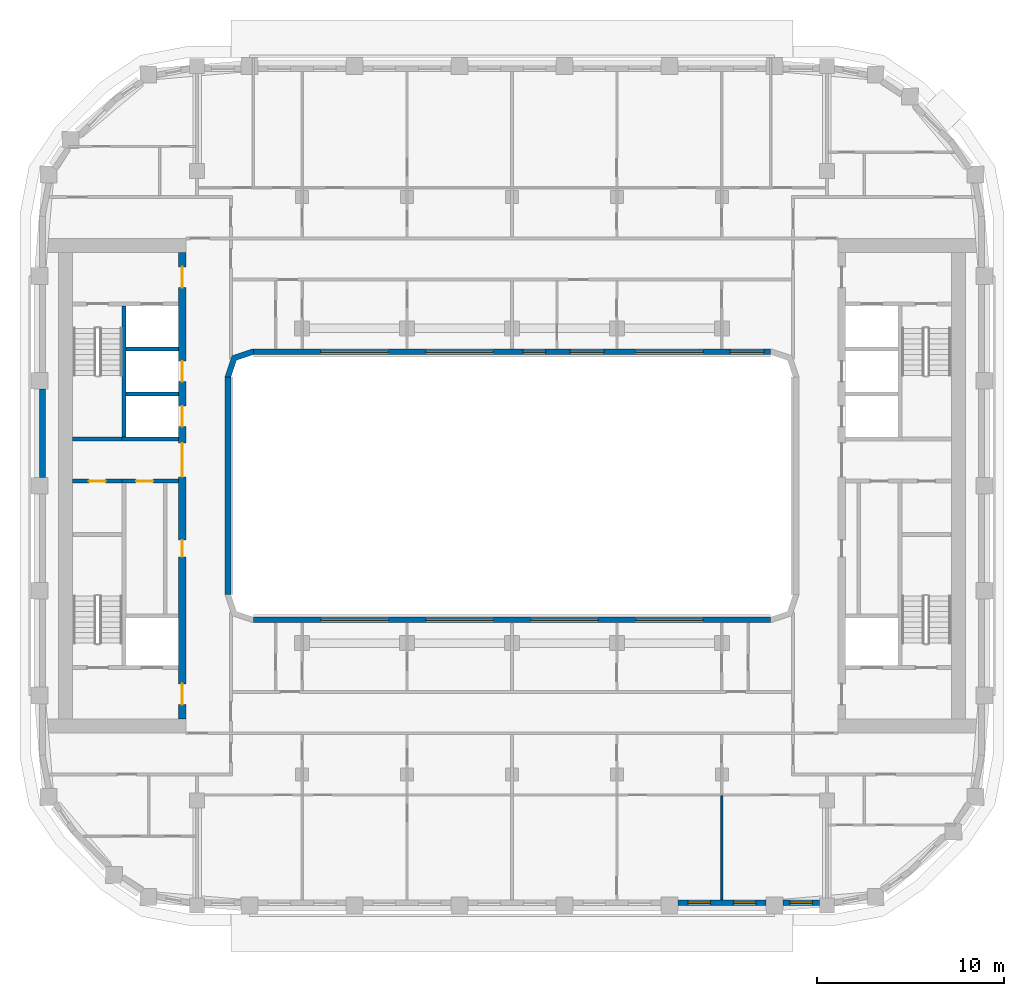
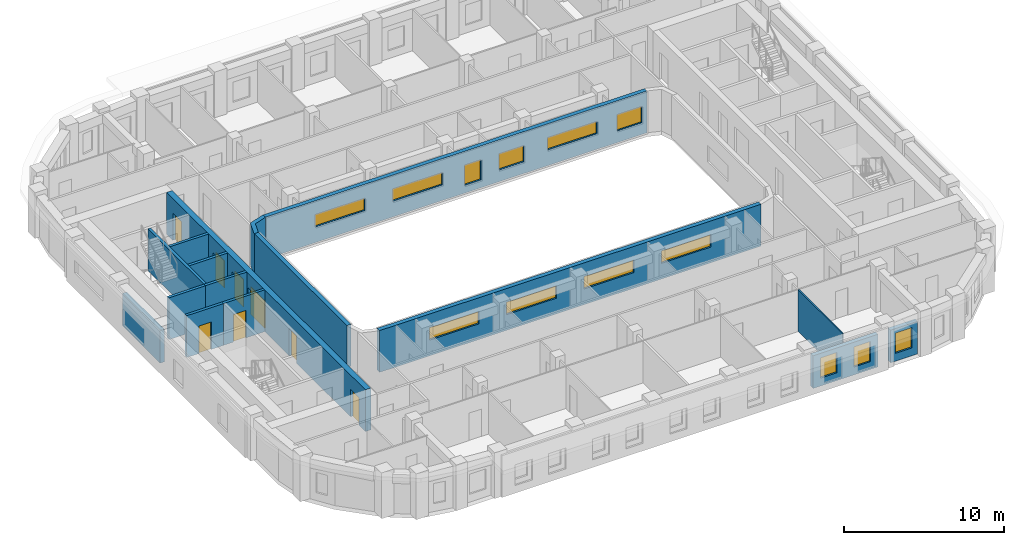
# One storey, part 4 of 20: 16 walls, 13 windows, 8 doors, 21 openings.
"""IFC4 building model written with IfcOpenShell, lengths in metres."""

import ifcopenshell
import ifcopenshell.guid

model = None  # the IFC model being written
_history = None  # IfcOwnerHistory: only IFC2X3 demands one
_inside = {}  # id of a spatial element -> (the spatial element, [elements in it])
_under = {}  # id of a project, library or spatial element -> (it, [spatial elements below it])
_declared = {}  # id of a project -> (the project, [libraries it declares])
_typed = {}  # id of a type object -> (the type object, [elements of that type])
_made_of = {}  # id of a material, layer set ... -> (it, [elements and type objects made of it])


def new_model(schema):
    """Start an empty IFC model of exactly this schema.

    Asked for "IFC4X3", IfcOpenShell would pick the latest addendum, in which some entities
    have other attributes; the version numbers below select the first issue.
    IFC2X3 requires an IfcOwnerHistory on every rooted entity: one is made here for all.
    """
    global model, _history
    if schema == "IFC4X3":
        model = ifcopenshell.file(schema_version=(4, 3, 0, 0))
    else:
        model = ifcopenshell.file(schema=schema)
    _inside.clear()
    _under.clear()
    _declared.clear()
    _typed.clear()
    _made_of.clear()
    _history = None
    if model.schema == "IFC2X3":
        org = make("IfcOrganization", Name="unknown")
        user = make(
            "IfcPersonAndOrganization",
            ThePerson=make("IfcPerson", FamilyName="unknown"),
            TheOrganization=org,
        )
        app = make(
            "IfcApplication",
            ApplicationDeveloper=org,
            Version="unknown",
            ApplicationFullName="unknown",
            ApplicationIdentifier="unknown",
        )
        _history = make(
            "IfcOwnerHistory",
            OwningUser=user,
            OwningApplication=app,
            ChangeAction="ADDED",
            CreationDate=0,
        )
    return model


def make(cls, **values):
    """One entity of the class cls with the attributes given. An attribute that is None is left unset."""
    return model.create_entity(
        cls, **{name: value for name, value in values.items() if value is not None}
    )


def rooted(cls, **values):
    """An entity with a GlobalId (a new one), such as an element, a storey or a relation."""
    return make(cls, GlobalId=ifcopenshell.guid.new(), OwnerHistory=_history, **values)


def si_unit(unit_type, name, prefix=None):
    """IfcSIUnit, for example si_unit("LENGTHUNIT", "METRE", prefix="MILLI")."""
    return make("IfcSIUnit", UnitType=unit_type, Prefix=prefix, Name=name)


def assignment(units):
    """IfcUnitAssignment: the units of a project."""
    return None if units is None else make("IfcUnitAssignment", Units=units)


def point(xyz):
    """IfcCartesianPoint."""
    return None if xyz is None else make("IfcCartesianPoint", Coordinates=xyz)


def direction(xyz):
    """IfcDirection."""
    return None if xyz is None else make("IfcDirection", DirectionRatios=xyz)


def frame(location, z_axis=None, x_axis=None):
    """IfcAxis2Placement3D, a coordinate frame: its origin and axes. An axis left out is left unset."""
    return make(
        "IfcAxis2Placement3D",
        Location=point(location),
        Axis=direction(z_axis),
        RefDirection=direction(x_axis),
    )


def frame_2d(location, x_axis=None):
    """IfcAxis2Placement2D, a coordinate frame in the plane: its origin and x axis."""
    return make(
        "IfcAxis2Placement2D", Location=point(location), RefDirection=direction(x_axis)
    )


def origin():
    """The frame at (0, 0, 0) with its axes left unset."""
    return frame((0.0, 0.0, 0.0))


def place(relative_to, where):
    """IfcLocalPlacement: puts the frame where relative to a parent placement (None: the world)."""
    return make(
        "IfcLocalPlacement", PlacementRelTo=relative_to, RelativePlacement=where
    )


def context(
    kind, dimensions, precision=None, world=None, true_north=None, identifier=None
):
    """IfcGeometricRepresentationContext, for example the 3D "Model" context."""
    return make(
        "IfcGeometricRepresentationContext",
        ContextIdentifier=identifier,
        ContextType=kind,
        CoordinateSpaceDimension=dimensions,
        Precision=precision,
        WorldCoordinateSystem=world,
        TrueNorth=true_north,
    )


def subcontext(parent, identifier, kind, view, scale=None):
    """IfcGeometricRepresentationSubContext, for example "Body" below "Model"."""
    return make(
        "IfcGeometricRepresentationSubContext",
        ContextIdentifier=identifier,
        ContextType=kind,
        ParentContext=parent,
        TargetScale=scale,
        TargetView=view,
    )


def project(units=None, contexts=None):
    """IfcProject with its units and contexts."""
    return rooted(
        "IfcProject",
        Name="project",
        RepresentationContexts=contexts,
        UnitsInContext=assignment(units),
    )


def spatial(cls, under=None, at=None, **own):
    """A site, building, storey or space (cls), placed at a placement, below another one or the project."""
    s = rooted(cls, ObjectPlacement=at, **own)
    if under is not None:
        _under.setdefault(under.id(), (under, []))[1].append(s)
    return s


def polyline(points):
    """IfcPolyline through the points."""
    return make("IfcPolyline", Points=[point(p) for p in points])


def profile(cls, at=None, kind="AREA", **sizes):
    """A parametric profile (cls). Its sizes go by their IFC names, for example OverallWidth=200.0."""
    return make(cls, ProfileType=kind, Position=at, **sizes)


def rectangle(**sizes):
    """IfcRectangleProfileDef."""
    return profile("IfcRectangleProfileDef", **sizes)


def outline(outer, holes=None, kind="AREA"):
    """IfcArbitraryClosedProfileDef: a profile drawn as a closed curve; with holes, ...WithVoids."""
    if holes is None:
        return make("IfcArbitraryClosedProfileDef", ProfileType=kind, OuterCurve=outer)
    return make(
        "IfcArbitraryProfileDefWithVoids",
        ProfileType=kind,
        OuterCurve=outer,
        InnerCurves=holes,
    )


def extrude(swept, where, along, depth):
    """IfcExtrudedAreaSolid: the profile swept, set in the frame where, extruded along a direction by depth."""
    return make(
        "IfcExtrudedAreaSolid",
        SweptArea=swept,
        Position=where,
        ExtrudedDirection=direction(along),
        Depth=depth,
    )


def shape(context_of_items, identifier, shape_type, items):
    """IfcShapeRepresentation: the items that make up one representation, for example the "Body"."""
    return make(
        "IfcShapeRepresentation",
        ContextOfItems=context_of_items,
        RepresentationIdentifier=identifier,
        RepresentationType=shape_type,
        Items=items,
    )


def material(Name=None, Category=None):
    """IfcMaterial."""
    return make("IfcMaterial", Name=Name, Category=Category)


def layer(
    of_material, thickness, ventilated=None, Name=None, Category=None, Priority=None
):
    """IfcMaterialLayer: one layer of a wall or slab, of a material (None: an air gap)."""
    return make(
        "IfcMaterialLayer",
        Material=of_material,
        LayerThickness=thickness,
        IsVentilated=ventilated,
        Name=Name,
        Category=Category,
        Priority=Priority,
    )


def layer_set(layers, Name=None):
    """IfcMaterialLayerSet."""
    return make("IfcMaterialLayerSet", MaterialLayers=layers, LayerSetName=Name)


def made_of(thing, what):
    """Note that an element or type object is made of a material, layer set ...; save() writes the relation."""
    if what is not None:
        _made_of.setdefault(what.id(), (what, []))[1].append(thing)
    return thing


def type_object(cls, material=None, **own):
    """A type object (cls), such as IfcWallType, which elements share."""
    return made_of(rooted(cls, **own), material)


def element(
    cls,
    number,
    at=None,
    inside=None,
    cuts=None,
    type_object=None,
    material=None,
    context=None,
    identifier="Body",
    shape_type=None,
    held_by="IfcProductDefinitionShape",
    body=None,
    shapes=None,
    **own,
):
    """One element of the class cls, such as IfcWall. Its Tag is "e" and its number.

    at: its placement. inside: the storey or other place that contains it. cuts: it is an
    opening in that element (IfcRelVoidsElement). A single representation is given by context,
    identifier, shape_type and body (its items); several are given by shapes. held_by: the class
    of the entity that holds the representations. save() writes the other relations.
    """
    e = rooted(cls, Tag="e%d" % number, ObjectPlacement=at, **own)
    if body is not None:
        shapes = [shape(context, identifier, shape_type, body)]
    if shapes is not None:
        e.Representation = make(held_by, Representations=shapes)
    if inside is not None:
        _inside.setdefault(inside.id(), (inside, []))[1].append(e)
    if cuts is not None:
        rooted(
            "IfcRelVoidsElement", RelatingBuildingElement=cuts, RelatedOpeningElement=e
        )
    if type_object is not None:
        _typed.setdefault(type_object.id(), (type_object, []))[1].append(e)
    return made_of(e, material)


def fill(opening, filler):
    """IfcRelFillsElement: the door or window that sits in an opening."""
    return rooted(
        "IfcRelFillsElement",
        RelatingOpeningElement=opening,
        RelatedBuildingElement=filler,
    )


def aggregate(whole, parts):
    """IfcRelAggregates: a whole, such as a stair, and the parts it consists of."""
    return rooted("IfcRelAggregates", RelatingObject=whole, RelatedObjects=parts)


def save(model, path):
    """Write the relations noted so far, then the file.

    IfcRelAggregates (storeys below a building ...), IfcRelContainedInSpatialStructure (elements
    in a storey), IfcRelDefinesByType, IfcRelAssociatesMaterial and IfcRelDeclares: one each for
    every whole, place, type object, material and project.
    """
    for whole, parts in _under.values():
        aggregate(whole, parts)
    for where, things in _inside.values():
        rooted(
            "IfcRelContainedInSpatialStructure",
            RelatedElements=things,
            RelatingStructure=where,
        )
    for kind, things in _typed.values():
        rooted("IfcRelDefinesByType", RelatedObjects=things, RelatingType=kind)
    for what, things in _made_of.values():
        rooted("IfcRelAssociatesMaterial", RelatedObjects=things, RelatingMaterial=what)
    for by, libraries in _declared.values():
        rooted("IfcRelDeclares", RelatingContext=by, RelatedDefinitions=libraries)
    model.write(path)


model = new_model("IFC4")

# Units and contexts
model_context = context("Model", 3, precision=1e-05, world=origin(), true_north=direction((0.0, 1.0)))
body_context = subcontext(model_context, "Body", "Model", "MODEL_VIEW")
ifc_project = project(units=[si_unit("LENGTHUNIT", "METRE"), si_unit("AREAUNIT", "SQUARE_METRE"), si_unit("VOLUMEUNIT", "CUBIC_METRE"), si_unit("PLANEANGLEUNIT", "RADIAN"), si_unit("MASSUNIT", "GRAM", prefix="KILO")], contexts=[model_context])

# Site, building, storey
site_placement = place(None, origin())
site = spatial("IfcSite", under=ifc_project, at=site_placement, CompositionType="ELEMENT")
building_placement = place(site_placement, origin())
building = spatial("IfcBuilding", under=site, at=building_placement, Name="Kiln Ring Residences", CompositionType="ELEMENT")
storey_placement = place(building_placement, frame((0.0, 0.0, 206.39990234375)))
storey = spatial("IfcBuildingStorey", under=building, at=storey_placement, Name="L53", CompositionType="ELEMENT", Elevation=206.39990234375)

# Wall, opening, door
ifc_material_1 = material(Name="Gypsum board on steel studs", Category="steel")
ifc_layer_1 = layer(ifc_material_1, 0.199951171875)
ifc_layer_set_1 = layer_set([ifc_layer_1], Name="CORE-PARTITION-200")
wall_type_1 = type_object("IfcWallType", Name="CORE-PARTITION-200", PredefinedType="PARTITIONING", material=ifc_layer_set_1)
wall_1_placement = place(storey_placement, frame((-20.800048828125, 0.25, 0.0), z_axis=(0.0, 0.0, 1.0), x_axis=(-1.0, 0.0, 0.0)))
wall_1 = element("IfcWall", 1, at=wall_1_placement, inside=storey, type_object=wall_type_1, Name="Core partition west L53 1", PredefinedType="PARTITIONING", context=body_context, shape_type="SweptSolid", body=[
    extrude(rectangle(XDim=2.64990234375, YDim=0.199951171875, at=frame_2d((1.324951171875, 0.0))), origin(), (0.0, 0.0, 1.0), 3.2001953125),
])
opening_1_placement = place(wall_1_placement, frame((0.875, 0.0, 0.0)))
opening_1 = element("IfcOpeningElement", 2, at=opening_1_placement, cuts=wall_1, Name="Opening L53-CW12", PredefinedType="OPENING", context=body_context, shape_type="SweptSolid", body=[
    extrude(rectangle(XDim=0.89990234375, YDim=2.10009765625, at=frame_2d((0.449951171875, 1.050048828125))), frame((0.0, 0.10986328125, 0.0), z_axis=(0.0, -1.0, 0.0), x_axis=(1.0, 0.0, 0.0)), (0.0, 0.0, 1.0), 0.219970703125),
])
ifc_material_2 = material(Name="Steel door leaf", Category="steel")
door_type_1 = type_object("IfcDoorType", Name="CORE-DOOR-ROOM", OperationType="SINGLE_SWING_LEFT", PredefinedType="DOOR", material=ifc_material_2)
door_1_placement = place(opening_1_placement, origin())
door_1 = element("IfcDoor", 3, at=door_1_placement, inside=storey, type_object=door_type_1, Name="Comms room L53-CW12", OperationType="SINGLE_SWING_RIGHT", OverallHeight=2.10009765625, OverallWidth=0.89990234375, PredefinedType="DOOR", context=body_context, shape_type="SweptSolid", body=[
    extrude(rectangle(XDim=0.89990234375, YDim=2.10009765625, at=frame_2d((0.449951171875, 1.050048828125))), frame((0.0, 0.02490234375, 0.0), z_axis=(0.0, -1.0, 0.0), x_axis=(1.0, 0.0, 0.0)), (0.0, 0.0, 1.0), 0.050048828125),
])
fill(opening_1, door_1)

ifc_material_3 = material(Name="Gypsum shaft wall system")
ifc_layer_2 = layer(ifc_material_3, 0.199951171875)
ifc_layer_set_2 = layer_set([ifc_layer_2], Name="CORE-SHAFT-WALL-200")
wall_type_2 = type_object("IfcWallType", Name="CORE-SHAFT-WALL-200", PredefinedType="PARTITIONING", material=ifc_layer_set_2)
wall_2_placement = place(storey_placement, frame((-17.800048828125, 0.25, 0.0), z_axis=(0.0, 0.0, 1.0), x_axis=(-1.0, 0.0, 0.0)))
wall_2 = element("IfcWall", 4, at=wall_2_placement, inside=storey, type_object=wall_type_2, Name="Core partition west L53 4", PredefinedType="PARTITIONING", context=body_context, shape_type="SweptSolid", body=[
    extrude(rectangle(XDim=3.0, YDim=0.199951171875, at=frame_2d((1.5, 0.0))), origin(), (0.0, 0.0, 1.0), 3.2001953125),
])
opening_2_placement = place(wall_2_placement, frame((1.35009765625, 0.0, 0.0)))
opening_2 = element("IfcOpeningElement", 5, at=opening_2_placement, cuts=wall_2, Name="Opening L53-CW03", PredefinedType="OPENING", context=body_context, shape_type="SweptSolid", body=[
    extrude(rectangle(XDim=0.89990234375, YDim=2.10009765625, at=frame_2d((0.449951171875, 1.050048828125))), frame((0.0, 0.10986328125, 0.0), z_axis=(0.0, -1.0, 0.0), x_axis=(1.0, 0.0, 0.0)), (0.0, 0.0, 1.0), 0.219970703125),
])
door_2_placement = place(opening_2_placement, origin())
door_2 = element("IfcDoor", 6, at=door_2_placement, inside=storey, type_object=door_type_1, Name="Service store L53-CW03", OperationType="SINGLE_SWING_LEFT", OverallHeight=2.10009765625, OverallWidth=0.89990234375, PredefinedType="DOOR", context=body_context, shape_type="SweptSolid", body=[
    extrude(rectangle(XDim=0.89990234375, YDim=2.10009765625, at=frame_2d((0.449951171875, 1.050048828125))), frame((0.0, 0.02490234375, 0.0), z_axis=(0.0, -1.0, 0.0), x_axis=(1.0, 0.0, 0.0)), (0.0, 0.0, 1.0), 0.050048828125),
])
fill(opening_2, door_2)

# Walls
wall_3_placement = place(storey_placement, frame((-17.800048828125, 2.5, 0.0), z_axis=(0.0, 0.0, 1.0), x_axis=(-1.0, 0.0, 0.0)))
element("IfcWall", 7, at=wall_3_placement, inside=storey, type_object=wall_type_2, Name="Core partition west L53 5", PredefinedType="PARTITIONING", context=body_context, shape_type="SweptSolid", body=[
    extrude(rectangle(XDim=3.0, YDim=0.199951171875, at=frame_2d((1.5, 0.0))), origin(), (0.0, 0.0, 1.0), 3.2001953125),
])
for number, where, z_axis, x_axis, name in (
    (8, (-17.800048828125, 4.89990234375, 0.0), (0.0, 0.0, 1.0), (-1.0, 0.0, 0.0), "Core partition west L53 6"),
    (9, (-17.800048828125, 7.300048828125, 0.0), (0.0, 0.0, 1.0), (-1.0, 0.0, 0.0), "Core partition west L53 7"),
):
    element("IfcWall", number, at=place(storey_placement, frame(where, z_axis=z_axis, x_axis=x_axis)), inside=storey, type_object=wall_type_2, Name=name, PredefinedType="PARTITIONING", context=body_context, shape_type="SweptSolid", body=[
        extrude(rectangle(XDim=2.800048828125, YDim=0.199951171875, at=frame_2d((1.39990234375, 0.0))), origin(), (0.0, 0.0, 1.0), 3.2001953125),
    ])
ifc_material_4 = material(Name="Concrete C40/50", Category="concrete")
ifc_layer_3 = layer(ifc_material_4, 0.199951171875)
ifc_layer_set_3 = layer_set([ifc_layer_3], Name="CORE-WALL-RC200")
wall_type_3 = type_object("IfcWallType", Name="CORE-WALL-RC200", PredefinedType="SHEAR", material=ifc_layer_set_3)
wall_4_placement = place(storey_placement, frame((-20.699951171875, 2.60009765625, 0.0), z_axis=(0.0, 0.0, 1.0), x_axis=(0.0, 1.0, 0.0)))
element("IfcWall", 10, at=wall_4_placement, inside=storey, type_object=wall_type_3, Name="Core wall west L53 1", PredefinedType="SHEAR", context=body_context, shape_type="SweptSolid", body=[
    extrude(rectangle(XDim=7.0, YDim=0.199951171875, at=frame_2d((3.5, 0.0))), origin(), (0.0, 0.0, 1.0), 3.2001953125),
])
wall_5_placement = place(storey_placement, frame((-20.800048828125, 2.5, 0.0), z_axis=(0.0, 0.0, 1.0), x_axis=(-1.0, 0.0, 0.0)))
element("IfcWall", 11, at=wall_5_placement, inside=storey, type_object=wall_type_3, Name="Core wall west L53 3", PredefinedType="SHEAR", context=body_context, shape_type="SweptSolid", body=[
    extrude(rectangle(XDim=2.64990234375, YDim=0.199951171875, at=frame_2d((1.324951171875, 0.0))), origin(), (0.0, 0.0, 1.0), 3.2001953125),
])

# Wall, openings, doors
ifc_material_5 = material(Name="Concrete C60/75", Category="concrete")
ifc_layer_4 = layer(ifc_material_5, 0.39990234375)
ifc_layer_set_4 = layer_set([ifc_layer_4], Name="CORE-WALL-RC400")
wall_type_4 = type_object("IfcWallType", Name="CORE-WALL-RC400", PredefinedType="SHEAR", material=ifc_layer_set_4)
wall_6_placement = place(storey_placement, frame((-17.60009765625, -12.449951171875, 0.0), z_axis=(0.0, 0.0, 1.0), x_axis=(0.0, 1.0, 0.0)))
wall_6 = element("IfcWall", 12, at=wall_6_placement, inside=storey, type_object=wall_type_4, Name="Core wall west L53 6", PredefinedType="SHEAR", context=body_context, shape_type="SweptSolid", body=[
    extrude(rectangle(XDim=24.89990234375, YDim=0.39990234375, at=frame_2d((12.449951171875, 0.0))), origin(), (0.0, 0.0, 1.0), 3.2001953125),
])
opening_3_placement = place(wall_6_placement, frame((8.64990234375, 0.0, 0.0)))
opening_3 = element("IfcOpeningElement", 13, at=opening_3_placement, cuts=wall_6, Name="Opening L53-CW02", PredefinedType="OPENING", context=body_context, shape_type="SweptSolid", body=[
    extrude(rectangle(XDim=0.89990234375, YDim=2.10009765625, at=frame_2d((0.449951171875, 1.050048828125))), frame((0.0, 0.2099609375, 0.0), z_axis=(0.0, -1.0, 0.0), x_axis=(1.0, 0.0, 0.0)), (0.0, 0.0, 1.0), 0.419921875),
])
opening_4_placement = place(wall_6_placement, frame((15.60009765625, 0.0, 0.0)))
opening_4 = element("IfcOpeningElement", 14, at=opening_4_placement, cuts=wall_6, Name="Opening L53-CW04", PredefinedType="OPENING", context=body_context, shape_type="SweptSolid", body=[
    extrude(rectangle(XDim=1.10009765625, YDim=2.10009765625, at=frame_2d((0.550048828125, 1.050048828125))), frame((0.0, 0.2099609375, 0.0), z_axis=(0.0, -1.0, 0.0), x_axis=(1.0, 0.0, 0.0)), (0.0, 0.0, 1.0), 0.419921875),
])
opening_5_placement = place(wall_6_placement, frame((18.0, 0.0, 0.0)))
opening_5 = element("IfcOpeningElement", 15, at=opening_5_placement, cuts=wall_6, Name="Opening L53-CW05", PredefinedType="OPENING", context=body_context, shape_type="SweptSolid", body=[
    extrude(rectangle(XDim=1.10009765625, YDim=2.10009765625, at=frame_2d((0.550048828125, 1.050048828125))), frame((0.0, 0.2099609375, 0.0), z_axis=(0.0, -1.0, 0.0), x_axis=(1.0, 0.0, 0.0)), (0.0, 0.0, 1.0), 0.419921875),
])
opening_6_placement = place(wall_6_placement, frame((23.02490234375, 0.0, 0.0)))
opening_6 = element("IfcOpeningElement", 16, at=opening_6_placement, cuts=wall_6, Name="Opening L53-CW07", PredefinedType="OPENING", context=body_context, shape_type="SweptSolid", body=[
    extrude(rectangle(XDim=1.10009765625, YDim=2.10009765625, at=frame_2d((0.550048828125, 1.050048828125))), frame((0.0, 0.2099609375, 0.0), z_axis=(0.0, -1.0, 0.0), x_axis=(1.0, 0.0, 0.0)), (0.0, 0.0, 1.0), 0.419921875),
])
opening_7_placement = place(wall_6_placement, frame((0.77490234375, 0.0, 0.0)))
opening_7 = element("IfcOpeningElement", 17, at=opening_7_placement, cuts=wall_6, Name="Opening L53-CW08", PredefinedType="OPENING", context=body_context, shape_type="SweptSolid", body=[
    extrude(rectangle(XDim=1.10009765625, YDim=2.10009765625, at=frame_2d((0.550048828125, 1.050048828125))), frame((0.0, 0.2099609375, 0.0), z_axis=(0.0, -1.0, 0.0), x_axis=(1.0, 0.0, 0.0)), (0.0, 0.0, 1.0), 0.419921875),
])
opening_8_placement = place(wall_6_placement, frame((12.925048828125, 0.0, 0.0)))
opening_8 = element("IfcOpeningElement", 18, at=opening_8_placement, cuts=wall_6, Name="Opening L53-CW11", PredefinedType="OPENING", context=body_context, shape_type="SweptSolid", body=[
    extrude(rectangle(XDim=1.800048828125, YDim=2.10009765625, at=frame_2d((0.89990234375, 1.050048828125))), frame((0.0, 0.2099609375, 0.0), z_axis=(0.0, -1.0, 0.0), x_axis=(1.0, 0.0, 0.0)), (0.0, 0.0, 1.0), 0.419921875),
])
ifc_material_6 = material(Name="Steel door leaf", Category="steel")
door_type_2 = type_object("IfcDoorType", Name="CORE-DOOR-LD", OperationType="DOUBLE_DOOR_SLIDING", PredefinedType="DOOR", material=ifc_material_6)
door_3_placement = place(opening_4_placement, origin())
door_3 = element("IfcDoor", 19, at=door_3_placement, inside=storey, type_object=door_type_2, Name="LD W-M1 L53-CW04", OperationType="DOUBLE_DOOR_SLIDING", OverallHeight=2.10009765625, OverallWidth=1.10009765625, PredefinedType="DOOR", context=body_context, shape_type="SweptSolid", body=[
    extrude(rectangle(XDim=1.10009765625, YDim=2.10009765625, at=frame_2d((0.550048828125, 1.050048828125))), frame((0.0, 0.02490234375, 0.0), z_axis=(0.0, -1.0, 0.0), x_axis=(1.0, 0.0, 0.0)), (0.0, 0.0, 1.0), 0.050048828125),
])
fill(opening_4, door_3)
door_4_placement = place(opening_5_placement, origin())
door_4 = element("IfcDoor", 20, at=door_4_placement, inside=storey, type_object=door_type_2, Name="LD W-M2 L53-CW05", OperationType="DOUBLE_DOOR_SLIDING", OverallHeight=2.10009765625, OverallWidth=1.10009765625, PredefinedType="DOOR", context=body_context, shape_type="SweptSolid", body=[
    extrude(rectangle(XDim=1.10009765625, YDim=2.10009765625, at=frame_2d((0.550048828125, 1.050048828125))), frame((0.0, 0.02490234375, 0.0), z_axis=(0.0, -1.0, 0.0), x_axis=(1.0, 0.0, 0.0)), (0.0, 0.0, 1.0), 0.050048828125),
])
fill(opening_5, door_4)
ifc_material_7 = material(Name="Steel door leaf", Category="steel")
door_type_3 = type_object("IfcDoorType", Name="CORE-DOOR-LOBBY", OperationType="SINGLE_SWING_LEFT", PredefinedType="DOOR", material=ifc_material_7)
door_5_placement = place(opening_6_placement, origin())
door_5 = element("IfcDoor", 21, at=door_5_placement, inside=storey, type_object=door_type_3, Name="FFL L53-CW07", OperationType="SINGLE_SWING_RIGHT", OverallHeight=2.10009765625, OverallWidth=1.10009765625, PredefinedType="DOOR", context=body_context, shape_type="SweptSolid", body=[
    extrude(rectangle(XDim=1.10009765625, YDim=2.10009765625, at=frame_2d((0.550048828125, 1.050048828125))), frame((0.0, 0.02490234375, 0.0), z_axis=(0.0, -1.0, 0.0), x_axis=(1.0, 0.0, 0.0)), (0.0, 0.0, 1.0), 0.050048828125),
])
fill(opening_6, door_5)
door_6_placement = place(opening_7_placement, origin())
door_6 = element("IfcDoor", 22, at=door_6_placement, inside=storey, type_object=door_type_3, Name="SVL L53-CW08", OperationType="SINGLE_SWING_LEFT", OverallHeight=2.10009765625, OverallWidth=1.10009765625, PredefinedType="DOOR", context=body_context, shape_type="SweptSolid", body=[
    extrude(rectangle(XDim=1.10009765625, YDim=2.10009765625, at=frame_2d((0.550048828125, 1.050048828125))), frame((0.0, 0.02490234375, 0.0), z_axis=(0.0, -1.0, 0.0), x_axis=(1.0, 0.0, 0.0)), (0.0, 0.0, 1.0), 0.050048828125),
])
fill(opening_7, door_6)
ifc_material_8 = material(Name="Steel door leaf", Category="steel")
door_type_4 = type_object("IfcDoorType", Name="CORE-DOOR-PASS", OperationType="DOUBLE_DOOR_SINGLE_SWING", PredefinedType="DOOR", material=ifc_material_8)
door_7_placement = place(opening_8_placement, origin())
door_7 = element("IfcDoor", 23, at=door_7_placement, inside=storey, type_object=door_type_4, Name="Core passage L53-CW11", OperationType="DOUBLE_DOOR_SINGLE_SWING", OverallHeight=2.10009765625, OverallWidth=1.800048828125, PredefinedType="DOOR", context=body_context, shape_type="SweptSolid", body=[
    extrude(rectangle(XDim=1.800048828125, YDim=2.10009765625, at=frame_2d((0.89990234375, 1.050048828125))), frame((0.0, 0.02490234375, 0.0), z_axis=(0.0, -1.0, 0.0), x_axis=(1.0, 0.0, 0.0)), (0.0, 0.0, 1.0), 0.050048828125),
])
fill(opening_8, door_7)
door_8_placement = place(opening_3_placement, origin())
door_8 = element("IfcDoor", 24, at=door_8_placement, inside=storey, type_object=door_type_1, Name="Locker store L53-CW02", OperationType="SINGLE_SWING_RIGHT", OverallHeight=2.10009765625, OverallWidth=0.89990234375, PredefinedType="DOOR", context=body_context, shape_type="SweptSolid", body=[
    extrude(rectangle(XDim=0.89990234375, YDim=2.10009765625, at=frame_2d((0.449951171875, 1.050048828125))), frame((0.0, 0.02490234375, 0.0), z_axis=(0.0, -1.0, 0.0), x_axis=(1.0, 0.0, 0.0)), (0.0, 0.0, 1.0), 0.050048828125),
])
fill(opening_3, door_8)

# Wall, openings, windows
ifc_material_9 = material(Name="Brick masonry, dark clay brick", Category="masonry")
ifc_layer_5 = layer(ifc_material_9, 0.300048828125)
ifc_layer_set_5 = layer_set([ifc_layer_5], Name="EW-300 BRICK WALL")
wall_type_5 = type_object("IfcWallType", Name="EW-300 BRICK WALL", PredefinedType="SOLIDWALL", material=ifc_layer_set_5)
wall_7_placement = place(storey_placement, frame((8.85009765625, -22.25, 0.0), z_axis=(0.0, 0.0, 1.0), x_axis=(1.0, 0.0, 0.0)))
wall_7 = element("IfcWall", 25, at=wall_7_placement, inside=storey, type_object=wall_type_5, Name="Facade wall L53 9", PredefinedType="SOLIDWALL", context=body_context, shape_type="SweptSolid", body=[
    extrude(rectangle(XDim=4.699951171875, YDim=0.300048828125, at=frame_2d((2.35009765625, 0.0))), origin(), (0.0, 0.0, 1.0), 2.5),
])
opening_9_placement = place(wall_7_placement, frame((0.53759765625, 0.0, 0.60009765625)))
opening_9 = element("IfcOpeningElement", 26, at=opening_9_placement, cuts=wall_7, Name="Opening W1", PredefinedType="OPENING", context=body_context, shape_type="SweptSolid", body=[
    extrude(rectangle(XDim=1.199951171875, YDim=1.550048828125, at=frame_2d((0.60009765625, 0.77490234375))), frame((0.0, 0.159912109375, 0.0), z_axis=(0.0, -1.0, 0.0), x_axis=(1.0, 0.0, 0.0)), (0.0, 0.0, 1.0), 0.320068359375),
])
opening_10_placement = place(wall_7_placement, frame((2.96240234375, 0.0, 0.60009765625)))
opening_10 = element("IfcOpeningElement", 27, at=opening_10_placement, cuts=wall_7, Name="Opening W1", PredefinedType="OPENING", context=body_context, shape_type="SweptSolid", body=[
    extrude(rectangle(XDim=1.199951171875, YDim=1.550048828125, at=frame_2d((0.60009765625, 0.77490234375))), frame((0.0, 0.159912109375, 0.0), z_axis=(0.0, -1.0, 0.0), x_axis=(1.0, 0.0, 0.0)), (0.0, 0.0, 1.0), 0.320068359375),
])
ifc_material_10 = material(Name="Aluminium frame with double glazing", Category="aluminium")
window_type_1 = type_object("IfcWindowType", Name="WINDOW 1200 x 1550", PartitioningType="SINGLE_PANEL", PredefinedType="WINDOW", material=ifc_material_10)
window_1_placement = place(opening_9_placement, origin())
window_1 = element("IfcWindow", 28, at=window_1_placement, inside=storey, type_object=window_type_1, Name="Window L53 11", OverallHeight=1.550048828125, OverallWidth=1.199951171875, PartitioningType="SINGLE_PANEL", PredefinedType="WINDOW", context=body_context, shape_type="SweptSolid", body=[
    extrude(rectangle(XDim=1.199951171875, YDim=1.550048828125, at=frame_2d((0.60009765625, 0.77490234375))), frame((0.0, 0.030029296875, 0.0), z_axis=(0.0, -1.0, 0.0), x_axis=(1.0, 0.0, 0.0)), (0.0, 0.0, 1.0), 0.06005859375),
])
fill(opening_9, window_1)
window_2_placement = place(opening_10_placement, origin())
window_2 = element("IfcWindow", 29, at=window_2_placement, inside=storey, type_object=window_type_1, Name="Window L53 12", OverallHeight=1.550048828125, OverallWidth=1.199951171875, PartitioningType="SINGLE_PANEL", PredefinedType="WINDOW", context=body_context, shape_type="SweptSolid", body=[
    extrude(rectangle(XDim=1.199951171875, YDim=1.550048828125, at=frame_2d((0.60009765625, 0.77490234375))), frame((0.0, 0.030029296875, 0.0), z_axis=(0.0, -1.0, 0.0), x_axis=(1.0, 0.0, 0.0)), (0.0, 0.0, 1.0), 0.06005859375),
])
fill(opening_10, window_2)

# Wall, opening, window
wall_8_placement = place(storey_placement, frame((14.449951171875, -22.25, 0.0), z_axis=(0.0, 0.0, 1.0), x_axis=(1.0, 0.0, 0.0)))
wall_8 = element("IfcWall", 30, at=wall_8_placement, inside=storey, type_object=wall_type_5, Name="Facade wall L53 10", PredefinedType="SOLIDWALL", context=body_context, shape_type="SweptSolid", body=[
    extrude(rectangle(XDim=1.949951171875, YDim=0.300048828125, at=frame_2d((0.97509765625, 0.0))), origin(), (0.0, 0.0, 1.0), 2.5),
])
opening_11_placement = place(wall_8_placement, frame((0.375, 0.0, 0.60009765625)))
opening_11 = element("IfcOpeningElement", 31, at=opening_11_placement, cuts=wall_8, Name="Opening W1", PredefinedType="OPENING", context=body_context, shape_type="SweptSolid", body=[
    extrude(rectangle(XDim=1.199951171875, YDim=1.550048828125, at=frame_2d((0.60009765625, 0.77490234375))), frame((0.0, 0.159912109375, 0.0), z_axis=(0.0, -1.0, 0.0), x_axis=(1.0, 0.0, 0.0)), (0.0, 0.0, 1.0), 0.320068359375),
])
window_3_placement = place(opening_11_placement, origin())
window_3 = element("IfcWindow", 32, at=window_3_placement, inside=storey, type_object=window_type_1, Name="Window L53 13", OverallHeight=1.550048828125, OverallWidth=1.199951171875, PartitioningType="SINGLE_PANEL", PredefinedType="WINDOW", context=body_context, shape_type="SweptSolid", body=[
    extrude(rectangle(XDim=1.199951171875, YDim=1.550048828125, at=frame_2d((0.60009765625, 0.77490234375))), frame((0.0, 0.030029296875, 0.0), z_axis=(0.0, -1.0, 0.0), x_axis=(1.0, 0.0, 0.0)), (0.0, 0.0, 1.0), 0.06005859375),
])
fill(opening_11, window_3)

# Walls
wall_9_placement = place(storey_placement, frame((-25.050048828125, 5.14990234375, 0.0), z_axis=(0.0, 0.0, 1.0), x_axis=(0.0, -1.0, 0.0)))
element("IfcWall", 33, at=wall_9_placement, inside=storey, type_object=wall_type_5, Name="Facade wall L53 41", PredefinedType="SOLIDWALL", context=body_context, shape_type="SweptSolid", body=[
    extrude(rectangle(XDim=4.699951171875, YDim=0.300048828125, at=frame_2d((2.35009765625, 0.0))), origin(), (0.0, 0.0, 1.0), 2.5),
])
wall_10_placement = place(storey_placement, frame((-15.14990234375, -5.800048828125, 0.0), z_axis=(0.0, 0.0, 1.0), x_axis=(0.0, 1.0, 0.0)))
element("IfcWall", 34, at=wall_10_placement, inside=storey, type_object=wall_type_5, Name="Facade wall L53 47", PredefinedType="SOLIDWALL", context=body_context, shape_type="SweptSolid", body=[
    extrude(rectangle(XDim=11.60009765625, YDim=0.300048828125, at=frame_2d((5.800048828125, 0.0))), origin(), (0.0, 0.0, 1.0), 3.2001953125),
])

# Wall, openings, windows
wall_11_placement = place(storey_placement, frame((-13.800048828125, 7.14990234375, 0.0), z_axis=(0.0, 0.0, 1.0), x_axis=(1.0, 0.0, 0.0)))
wall_11 = element("IfcWall", 35, at=wall_11_placement, inside=storey, type_object=wall_type_5, Name="Facade wall L53 48", PredefinedType="SOLIDWALL", context=body_context, shape_type="SweptSolid", body=[
    extrude(rectangle(XDim=27.60009765625, YDim=0.300048828125, at=frame_2d((13.800048828125, 0.0))), origin(), (0.0, 0.0, 1.0), 3.2001953125),
])
opening_12_placement = place(wall_11_placement, frame((3.60009765625, 0.0, 1.199951171875)))
opening_12 = element("IfcOpeningElement", 36, at=opening_12_placement, cuts=wall_11, Name="Opening W4", PredefinedType="OPENING", context=body_context, shape_type="SweptSolid", body=[
    extrude(rectangle(XDim=3.60009765625, YDim=0.949951171875, at=frame_2d((1.800048828125, 0.47509765625))), frame((0.0, 0.159912109375, 0.0), z_axis=(0.0, -1.0, 0.0), x_axis=(1.0, 0.0, 0.0)), (0.0, 0.0, 1.0), 0.320068359375),
])
opening_13_placement = place(wall_11_placement, frame((9.199951171875, 0.0, 1.199951171875)))
opening_13 = element("IfcOpeningElement", 37, at=opening_13_placement, cuts=wall_11, Name="Opening W4", PredefinedType="OPENING", context=body_context, shape_type="SweptSolid", body=[
    extrude(rectangle(XDim=3.60009765625, YDim=0.949951171875, at=frame_2d((1.800048828125, 0.47509765625))), frame((0.0, 0.159912109375, 0.0), z_axis=(0.0, -1.0, 0.0), x_axis=(1.0, 0.0, 0.0)), (0.0, 0.0, 1.0), 0.320068359375),
])
opening_14_placement = place(wall_11_placement, frame((14.39990234375, 0.0, 0.60009765625)))
opening_14 = element("IfcOpeningElement", 38, at=opening_14_placement, cuts=wall_11, Name="Opening W1", PredefinedType="OPENING", context=body_context, shape_type="SweptSolid", body=[
    extrude(rectangle(XDim=1.199951171875, YDim=1.550048828125, at=frame_2d((0.60009765625, 0.77490234375))), frame((0.0, 0.159912109375, 0.0), z_axis=(0.0, -1.0, 0.0), x_axis=(1.0, 0.0, 0.0)), (0.0, 0.0, 1.0), 0.320068359375),
])
opening_15_placement = place(wall_11_placement, frame((16.89990234375, 0.0, 0.89990234375)))
opening_15 = element("IfcOpeningElement", 39, at=opening_15_placement, cuts=wall_11, Name="Opening W2", PredefinedType="OPENING", context=body_context, shape_type="SweptSolid", body=[
    extrude(rectangle(XDim=1.800048828125, YDim=1.25, at=frame_2d((0.89990234375, 0.625))), frame((0.0, 0.159912109375, 0.0), z_axis=(0.0, -1.0, 0.0), x_axis=(1.0, 0.0, 0.0)), (0.0, 0.0, 1.0), 0.320068359375),
])
opening_16_placement = place(wall_11_placement, frame((20.39990234375, 0.0, 1.199951171875)))
opening_16 = element("IfcOpeningElement", 40, at=opening_16_placement, cuts=wall_11, Name="Opening W4", PredefinedType="OPENING", context=body_context, shape_type="SweptSolid", body=[
    extrude(rectangle(XDim=3.60009765625, YDim=0.949951171875, at=frame_2d((1.800048828125, 0.47509765625))), frame((0.0, 0.159912109375, 0.0), z_axis=(0.0, -1.0, 0.0), x_axis=(1.0, 0.0, 0.0)), (0.0, 0.0, 1.0), 0.320068359375),
])
opening_17_placement = place(wall_11_placement, frame((25.4375, 0.0, 0.89990234375)))
opening_17 = element("IfcOpeningElement", 41, at=opening_17_placement, cuts=wall_11, Name="Opening W2", PredefinedType="OPENING", context=body_context, shape_type="SweptSolid", body=[
    extrude(rectangle(XDim=1.800048828125, YDim=1.25, at=frame_2d((0.89990234375, 0.625))), frame((0.0, 0.159912109375, 0.0), z_axis=(0.0, -1.0, 0.0), x_axis=(1.0, 0.0, 0.0)), (0.0, 0.0, 1.0), 0.320068359375),
])
window_4_placement = place(opening_14_placement, origin())
window_4 = element("IfcWindow", 42, at=window_4_placement, inside=storey, type_object=window_type_1, Name="Window L53 37", OverallHeight=1.550048828125, OverallWidth=1.199951171875, PartitioningType="SINGLE_PANEL", PredefinedType="WINDOW", context=body_context, shape_type="SweptSolid", body=[
    extrude(rectangle(XDim=1.199951171875, YDim=1.550048828125, at=frame_2d((0.60009765625, 0.77490234375))), frame((0.0, 0.030029296875, 0.0), z_axis=(0.0, -1.0, 0.0), x_axis=(1.0, 0.0, 0.0)), (0.0, 0.0, 1.0), 0.06005859375),
])
fill(opening_14, window_4)
ifc_material_11 = material(Name="Aluminium frame with double glazing", Category="aluminium")
window_type_2 = type_object("IfcWindowType", Name="WINDOW 1800 x 1250", PartitioningType="SINGLE_PANEL", PredefinedType="WINDOW", material=ifc_material_11)
window_5_placement = place(opening_15_placement, origin())
window_5 = element("IfcWindow", 43, at=window_5_placement, inside=storey, type_object=window_type_2, Name="Window L53 38", OverallHeight=1.25, OverallWidth=1.800048828125, PartitioningType="SINGLE_PANEL", PredefinedType="WINDOW", context=body_context, shape_type="SweptSolid", body=[
    extrude(rectangle(XDim=1.800048828125, YDim=1.25, at=frame_2d((0.89990234375, 0.625))), frame((0.0, 0.030029296875, 0.0), z_axis=(0.0, -1.0, 0.0), x_axis=(1.0, 0.0, 0.0)), (0.0, 0.0, 1.0), 0.06005859375),
])
fill(opening_15, window_5)
window_6_placement = place(opening_17_placement, origin())
window_6 = element("IfcWindow", 44, at=window_6_placement, inside=storey, type_object=window_type_2, Name="Window L53 40", OverallHeight=1.25, OverallWidth=1.800048828125, PartitioningType="SINGLE_PANEL", PredefinedType="WINDOW", context=body_context, shape_type="SweptSolid", body=[
    extrude(rectangle(XDim=1.800048828125, YDim=1.25, at=frame_2d((0.89990234375, 0.625))), frame((0.0, 0.030029296875, 0.0), z_axis=(0.0, -1.0, 0.0), x_axis=(1.0, 0.0, 0.0)), (0.0, 0.0, 1.0), 0.06005859375),
])
fill(opening_17, window_6)
ifc_material_12 = material(Name="Aluminium frame with double glazing", Category="aluminium")
window_type_3 = type_object("IfcWindowType", Name="WINDOW 3600 x 950", PartitioningType="SINGLE_PANEL", PredefinedType="WINDOW", material=ifc_material_12)
window_7_placement = place(opening_12_placement, origin())
window_7 = element("IfcWindow", 45, at=window_7_placement, inside=storey, type_object=window_type_3, Name="Window L53 35", OverallHeight=0.949951171875, OverallWidth=3.60009765625, PartitioningType="SINGLE_PANEL", PredefinedType="WINDOW", context=body_context, shape_type="SweptSolid", body=[
    extrude(rectangle(XDim=3.60009765625, YDim=0.949951171875, at=frame_2d((1.800048828125, 0.47509765625))), frame((0.0, 0.030029296875, 0.0), z_axis=(0.0, -1.0, 0.0), x_axis=(1.0, 0.0, 0.0)), (0.0, 0.0, 1.0), 0.06005859375),
])
fill(opening_12, window_7)
window_8_placement = place(opening_13_placement, origin())
window_8 = element("IfcWindow", 46, at=window_8_placement, inside=storey, type_object=window_type_3, Name="Window L53 36", OverallHeight=0.949951171875, OverallWidth=3.60009765625, PartitioningType="SINGLE_PANEL", PredefinedType="WINDOW", context=body_context, shape_type="SweptSolid", body=[
    extrude(rectangle(XDim=3.60009765625, YDim=0.949951171875, at=frame_2d((1.800048828125, 0.47509765625))), frame((0.0, 0.030029296875, 0.0), z_axis=(0.0, -1.0, 0.0), x_axis=(1.0, 0.0, 0.0)), (0.0, 0.0, 1.0), 0.06005859375),
])
fill(opening_13, window_8)
window_9_placement = place(opening_16_placement, origin())
window_9 = element("IfcWindow", 47, at=window_9_placement, inside=storey, type_object=window_type_3, Name="Window L53 39", OverallHeight=0.949951171875, OverallWidth=3.60009765625, PartitioningType="SINGLE_PANEL", PredefinedType="WINDOW", context=body_context, shape_type="SweptSolid", body=[
    extrude(rectangle(XDim=3.60009765625, YDim=0.949951171875, at=frame_2d((1.800048828125, 0.47509765625))), frame((0.0, 0.030029296875, 0.0), z_axis=(0.0, -1.0, 0.0), x_axis=(1.0, 0.0, 0.0)), (0.0, 0.0, 1.0), 0.06005859375),
])
fill(opening_16, window_9)

wall_12_placement = place(storey_placement, frame((13.800048828125, -7.14990234375, 0.0), z_axis=(0.0, 0.0, 1.0), x_axis=(-1.0, 0.0, 0.0)))
wall_12 = element("IfcWall", 48, at=wall_12_placement, inside=storey, type_object=wall_type_5, Name="Facade wall L53 50", PredefinedType="SOLIDWALL", context=body_context, shape_type="SweptSolid", body=[
    extrude(rectangle(XDim=27.60009765625, YDim=0.300048828125, at=frame_2d((13.800048828125, 0.0))), origin(), (0.0, 0.0, 1.0), 3.2001953125),
])
opening_18_placement = place(wall_12_placement, frame((3.60009765625, 0.0, 1.199951171875)))
opening_18 = element("IfcOpeningElement", 49, at=opening_18_placement, cuts=wall_12, Name="Opening W4", PredefinedType="OPENING", context=body_context, shape_type="SweptSolid", body=[
    extrude(rectangle(XDim=3.60009765625, YDim=0.949951171875, at=frame_2d((1.800048828125, 0.47509765625))), frame((0.0, 0.159912109375, 0.0), z_axis=(0.0, -1.0, 0.0), x_axis=(1.0, 0.0, 0.0)), (0.0, 0.0, 1.0), 0.320068359375),
])
opening_19_placement = place(wall_12_placement, frame((9.199951171875, 0.0, 1.199951171875)))
opening_19 = element("IfcOpeningElement", 50, at=opening_19_placement, cuts=wall_12, Name="Opening W4", PredefinedType="OPENING", context=body_context, shape_type="SweptSolid", body=[
    extrude(rectangle(XDim=3.60009765625, YDim=0.949951171875, at=frame_2d((1.800048828125, 0.47509765625))), frame((0.0, 0.159912109375, 0.0), z_axis=(0.0, -1.0, 0.0), x_axis=(1.0, 0.0, 0.0)), (0.0, 0.0, 1.0), 0.320068359375),
])
opening_20_placement = place(wall_12_placement, frame((14.800048828125, 0.0, 1.199951171875)))
opening_20 = element("IfcOpeningElement", 51, at=opening_20_placement, cuts=wall_12, Name="Opening W4", PredefinedType="OPENING", context=body_context, shape_type="SweptSolid", body=[
    extrude(rectangle(XDim=3.60009765625, YDim=0.949951171875, at=frame_2d((1.800048828125, 0.47509765625))), frame((0.0, 0.159912109375, 0.0), z_axis=(0.0, -1.0, 0.0), x_axis=(1.0, 0.0, 0.0)), (0.0, 0.0, 1.0), 0.320068359375),
])
opening_21_placement = place(wall_12_placement, frame((20.39990234375, 0.0, 1.199951171875)))
opening_21 = element("IfcOpeningElement", 52, at=opening_21_placement, cuts=wall_12, Name="Opening W4", PredefinedType="OPENING", context=body_context, shape_type="SweptSolid", body=[
    extrude(rectangle(XDim=3.60009765625, YDim=0.949951171875, at=frame_2d((1.800048828125, 0.47509765625))), frame((0.0, 0.159912109375, 0.0), z_axis=(0.0, -1.0, 0.0), x_axis=(1.0, 0.0, 0.0)), (0.0, 0.0, 1.0), 0.320068359375),
])
window_10_placement = place(opening_18_placement, origin())
window_10 = element("IfcWindow", 53, at=window_10_placement, inside=storey, type_object=window_type_3, Name="Window L53 41", OverallHeight=0.949951171875, OverallWidth=3.60009765625, PartitioningType="SINGLE_PANEL", PredefinedType="WINDOW", context=body_context, shape_type="SweptSolid", body=[
    extrude(rectangle(XDim=3.60009765625, YDim=0.949951171875, at=frame_2d((1.800048828125, 0.47509765625))), frame((0.0, 0.030029296875, 0.0), z_axis=(0.0, -1.0, 0.0), x_axis=(1.0, 0.0, 0.0)), (0.0, 0.0, 1.0), 0.06005859375),
])
fill(opening_18, window_10)
window_11_placement = place(opening_19_placement, origin())
window_11 = element("IfcWindow", 54, at=window_11_placement, inside=storey, type_object=window_type_3, Name="Window L53 42", OverallHeight=0.949951171875, OverallWidth=3.60009765625, PartitioningType="SINGLE_PANEL", PredefinedType="WINDOW", context=body_context, shape_type="SweptSolid", body=[
    extrude(rectangle(XDim=3.60009765625, YDim=0.949951171875, at=frame_2d((1.800048828125, 0.47509765625))), frame((0.0, 0.030029296875, 0.0), z_axis=(0.0, -1.0, 0.0), x_axis=(1.0, 0.0, 0.0)), (0.0, 0.0, 1.0), 0.06005859375),
])
fill(opening_19, window_11)
window_12_placement = place(opening_20_placement, origin())
window_12 = element("IfcWindow", 55, at=window_12_placement, inside=storey, type_object=window_type_3, Name="Window L53 43", OverallHeight=0.949951171875, OverallWidth=3.60009765625, PartitioningType="SINGLE_PANEL", PredefinedType="WINDOW", context=body_context, shape_type="SweptSolid", body=[
    extrude(rectangle(XDim=3.60009765625, YDim=0.949951171875, at=frame_2d((1.800048828125, 0.47509765625))), frame((0.0, 0.030029296875, 0.0), z_axis=(0.0, -1.0, 0.0), x_axis=(1.0, 0.0, 0.0)), (0.0, 0.0, 1.0), 0.06005859375),
])
fill(opening_20, window_12)
window_13_placement = place(opening_21_placement, origin())
window_13 = element("IfcWindow", 56, at=window_13_placement, inside=storey, type_object=window_type_3, Name="Window L53 44", OverallHeight=0.949951171875, OverallWidth=3.60009765625, PartitioningType="SINGLE_PANEL", PredefinedType="WINDOW", context=body_context, shape_type="SweptSolid", body=[
    extrude(rectangle(XDim=3.60009765625, YDim=0.949951171875, at=frame_2d((1.800048828125, 0.47509765625))), frame((0.0, 0.030029296875, 0.0), z_axis=(0.0, -1.0, 0.0), x_axis=(1.0, 0.0, 0.0)), (0.0, 0.0, 1.0), 0.06005859375),
])
fill(opening_21, window_13)

# Walls
wall_13_placement = place(storey_placement, origin())
element("IfcWall", 57, at=wall_13_placement, inside=storey, type_object=wall_type_5, Name="Corner wall L53 1", PredefinedType="SOLIDWALL", context=body_context, shape_type="SweptSolid", body=[
    extrude(outline(polyline([(-13.8486328125, 7.300048828125), (-14.937255859375, 6.937255859375), (-15.300048828125, 5.8486328125), (-15.300048828125, 5.800048828125), (-15.0, 5.800048828125), (-14.699951171875, 6.699951171875), (-13.800048828125, 7.0), (-13.800048828125, 7.300048828125), (-13.8486328125, 7.300048828125)])), origin(), (0.0, 0.0, 1.0), 3.2001953125),
])
ifc_material_13 = material(Name="Gypsum board on steel studs", Category="steel")
ifc_layer_6 = layer(ifc_material_13, 0.10009765625)
ifc_layer_set_6 = layer_set([ifc_layer_6], Name="PARTITION-100")
wall_type_6 = type_object("IfcWallType", Name="PARTITION-100", PredefinedType="PARTITIONING", material=ifc_layer_set_6)
wall_14_placement = place(storey_placement, frame((11.199951171875, -22.080078125, 0.0), z_axis=(0.0, 0.0, 1.0), x_axis=(0.0, 1.0, 0.0)))
element("IfcWall", 58, at=wall_14_placement, inside=storey, type_object=wall_type_6, Name="Partition 050", PredefinedType="PARTITIONING", context=body_context, shape_type="SweptSolid", body=[
    extrude(rectangle(XDim=5.530029296875, YDim=0.10009765625, at=frame_2d((2.76513671875, 0.0))), origin(), (0.0, 0.0, 1.0), 3.2001953125),
])

save(model, "model.ifc")
